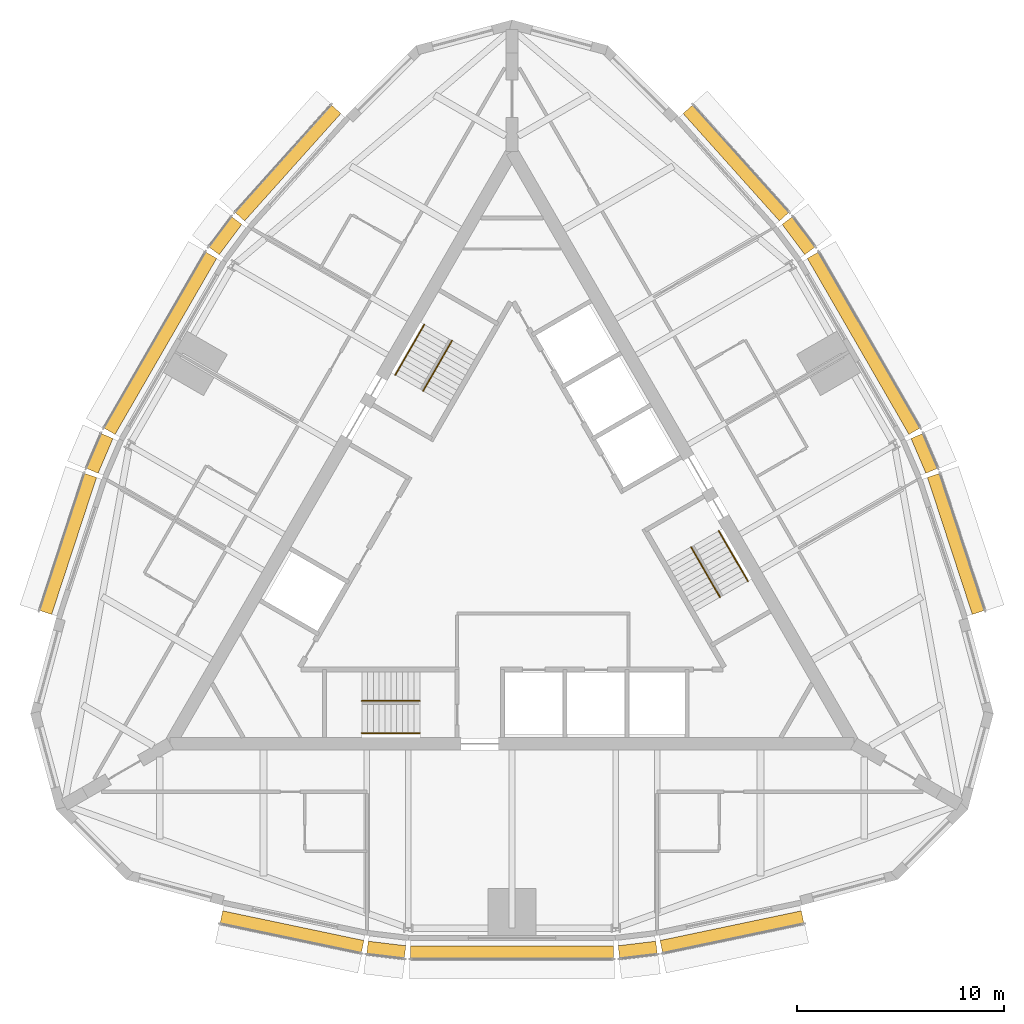
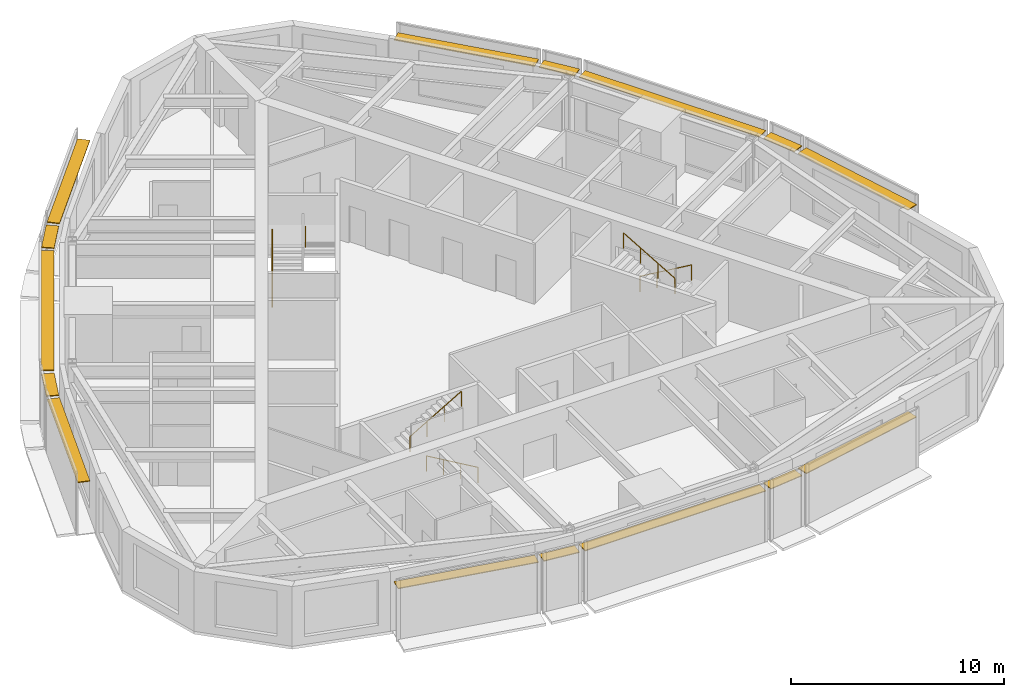
# One storey, part 12 of 12: 15 shading devices, 6 railings.
"""IFC4 building model written with IfcOpenShell, lengths in metres."""

from ifc_helpers import new_model, si_unit, direction, frame, origin, origin_2d, place, context, subcontext, project, spatial, rectangle, circle, extrude, material, type_object, element, save


model = new_model("IFC4")

# Units and contexts
model_context = context("Model", 3, precision=1e-05, world=origin(), true_north=direction((0.0, 1.0)))
body_context = subcontext(model_context, "Body", "Model", "MODEL_VIEW")
ifc_project = project(units=[si_unit("LENGTHUNIT", "METRE"), si_unit("AREAUNIT", "SQUARE_METRE"), si_unit("VOLUMEUNIT", "CUBIC_METRE"), si_unit("PLANEANGLEUNIT", "RADIAN"), si_unit("MASSUNIT", "GRAM", prefix="KILO")], contexts=[model_context])

# Site, building, storey
site_placement = place(None, origin())
site = spatial("IfcSite", under=ifc_project, at=site_placement, CompositionType="ELEMENT")
building_placement = place(site_placement, origin())
building = spatial("IfcBuilding", under=site, at=building_placement, Name="Trikona Tower", CompositionType="ELEMENT")
storey_placement = place(building_placement, frame((0.0, 0.0, 250.10009765625)))
storey = spatial("IfcBuildingStorey", under=building, at=storey_placement, Name="L66", CompositionType="ELEMENT", Elevation=250.10009765625)

# Shading devices
ifc_material_1 = material(Name="Aluminium louvre blade, pale anodised", Category="aluminium")
shading_device_type = type_object("IfcShadingDeviceType", Name="Cavity louvre 600", PredefinedType="USERDEFINED", material=ifc_material_1)
shading_device_1_placement = place(storey_placement, frame((-10.6162109375, -18.6083984375, 2.97509765625), z_axis=(0.0, 0.0, 1.0), x_axis=(0.97865342171, -0.205517590916, 0.0)))
element("IfcShadingDevice", 1, at=shading_device_1_placement, inside=storey, type_object=shading_device_type, Name="Cavity louvre L66-00", ObjectType="LOUVRE", PredefinedType="USERDEFINED", context=body_context, shape_type="SweptSolid", body=[
    extrude(rectangle(XDim=6.962646484375, YDim=0.60009765625, at=origin_2d()), origin(), (0.0, 0.0, 1.0), 0.050048828125),
])
shading_device_2_placement = place(storey_placement, frame((-6.0673828125, -19.471435546875, 2.97509765625), z_axis=(0.0, 0.0, 1.0), x_axis=(0.992876783199, -0.11914568135, 0.0)))
element("IfcShadingDevice", 2, at=shading_device_2_placement, inside=storey, type_object=shading_device_type, Name="Cavity louvre L66-01", ObjectType="LOUVRE", PredefinedType="USERDEFINED", context=body_context, shape_type="SweptSolid", body=[
    extrude(rectangle(XDim=1.82421875, YDim=0.60009765625, at=origin_2d()), origin(), (0.0, 0.0, 1.0), 0.050048828125),
])
shading_device_3_placement = place(storey_placement, frame((0.0, -19.595458984375, 2.97509765625), z_axis=(0.0, 0.0, 1.0), x_axis=(1.0, 0.0, 0.0)))
element("IfcShadingDevice", 3, at=shading_device_3_placement, inside=storey, type_object=shading_device_type, Name="Cavity louvre L66-02", ObjectType="LOUVRE", PredefinedType="USERDEFINED", context=body_context, shape_type="SweptSolid", body=[
    extrude(rectangle(XDim=9.81005859375, YDim=0.60009765625, at=origin_2d()), origin(), (0.0, 0.0, 1.0), 0.050048828125),
])
shading_device_4_placement = place(storey_placement, frame((6.0673828125, -19.471435546875, 2.97509765625), z_axis=(0.0, 0.0, 1.0), x_axis=(0.992876783199, 0.11914568135, 0.0)))
element("IfcShadingDevice", 4, at=shading_device_4_placement, inside=storey, type_object=shading_device_type, Name="Cavity louvre L66-03", ObjectType="LOUVRE", PredefinedType="USERDEFINED", context=body_context, shape_type="SweptSolid", body=[
    extrude(rectangle(XDim=1.82421875, YDim=0.60009765625, at=origin_2d()), origin(), (0.0, 0.0, 1.0), 0.050048828125),
])
for number, where, z_axis, x_axis, name in (
    (5, (10.6162109375, -18.6083984375, 2.97509765625), (0.0, 0.0, 1.0), (0.97865342171, 0.205517590916, 0.0), "Cavity louvre L66-04"),
    (6, (21.423583984375, 0.1103515625, 2.97509765625), (0.0, 0.0, 1.0), (-0.311336621861, 0.950299693722, 0.0), "Cavity louvre L66-09"),
):
    element("IfcShadingDevice", number, at=place(storey_placement, frame(where, z_axis=z_axis, x_axis=x_axis)), inside=storey, type_object=shading_device_type, Name=name, ObjectType="LOUVRE", PredefinedType="USERDEFINED", context=body_context, shape_type="SweptSolid", body=[
        extrude(rectangle(XDim=6.962646484375, YDim=0.60009765625, at=origin_2d()), origin(), (0.0, 0.0, 1.0), 0.050048828125),
    ])
shading_device_5_placement = place(storey_placement, frame((19.896484375, 4.481201171875, 2.97509765625), z_axis=(0.0, 0.0, 1.0), x_axis=(-0.39328408933, 0.919417002823, 0.0)))
element("IfcShadingDevice", 7, at=shading_device_5_placement, inside=storey, type_object=shading_device_type, Name="Cavity louvre L66-10", ObjectType="LOUVRE", PredefinedType="USERDEFINED", context=body_context, shape_type="SweptSolid", body=[
    extrude(rectangle(XDim=1.82421875, YDim=0.60009765625, at=origin_2d()), origin(), (0.0, 0.0, 1.0), 0.050048828125),
])
shading_device_6_placement = place(storey_placement, frame((16.97021484375, 9.797607421875, 2.97509765625), z_axis=(0.0, 0.0, 1.0), x_axis=(-0.4999984885, 0.866026276448, 0.0)))
element("IfcShadingDevice", 8, at=shading_device_6_placement, inside=storey, type_object=shading_device_type, Name="Cavity louvre L66-11", ObjectType="LOUVRE", PredefinedType="USERDEFINED", context=body_context, shape_type="SweptSolid", body=[
    extrude(rectangle(XDim=9.81005859375, YDim=0.60009765625, at=origin_2d()), origin(), (0.0, 0.0, 1.0), 0.050048828125),
])
shading_device_7_placement = place(storey_placement, frame((13.8291015625, 14.990234375, 2.97509765625), z_axis=(0.0, 0.0, 1.0), x_axis=(-0.599618784879, 0.800285769472, 0.0)))
element("IfcShadingDevice", 9, at=shading_device_7_placement, inside=storey, type_object=shading_device_type, Name="Cavity louvre L66-12", ObjectType="LOUVRE", PredefinedType="USERDEFINED", context=body_context, shape_type="SweptSolid", body=[
    extrude(rectangle(XDim=1.82421875, YDim=0.60009765625, at=origin_2d()), origin(), (0.0, 0.0, 1.0), 0.050048828125),
])
for number, where, z_axis, x_axis, name in (
    (10, (10.807373046875, 18.498046875, 2.97509765625), (0.0, 0.0, 1.0), (-0.667311465398, 0.744778764566, 0.0), "Cavity louvre L66-13"),
    (11, (-10.807373046875, 18.498046875, 2.97509765625), (0.0, 0.0, 1.0), (-0.667311465398, -0.744778764566, 0.0), "Cavity louvre L66-18"),
):
    element("IfcShadingDevice", number, at=place(storey_placement, frame(where, z_axis=z_axis, x_axis=x_axis)), inside=storey, type_object=shading_device_type, Name=name, ObjectType="LOUVRE", PredefinedType="USERDEFINED", context=body_context, shape_type="SweptSolid", body=[
        extrude(rectangle(XDim=6.962646484375, YDim=0.60009765625, at=origin_2d()), origin(), (0.0, 0.0, 1.0), 0.050048828125),
    ])
shading_device_8_placement = place(storey_placement, frame((-13.8291015625, 14.990234375, 2.97509765625), z_axis=(0.0, 0.0, 1.0), x_axis=(-0.599618784879, -0.800285769472, 0.0)))
element("IfcShadingDevice", 12, at=shading_device_8_placement, inside=storey, type_object=shading_device_type, Name="Cavity louvre L66-19", ObjectType="LOUVRE", PredefinedType="USERDEFINED", context=body_context, shape_type="SweptSolid", body=[
    extrude(rectangle(XDim=1.82421875, YDim=0.60009765625, at=origin_2d()), origin(), (0.0, 0.0, 1.0), 0.050048828125),
])
shading_device_9_placement = place(storey_placement, frame((-16.97021484375, 9.797607421875, 2.97509765625), z_axis=(0.0, 0.0, 1.0), x_axis=(-0.4999984885, -0.866026276448, 0.0)))
element("IfcShadingDevice", 13, at=shading_device_9_placement, inside=storey, type_object=shading_device_type, Name="Cavity louvre L66-20", ObjectType="LOUVRE", PredefinedType="USERDEFINED", context=body_context, shape_type="SweptSolid", body=[
    extrude(rectangle(XDim=9.81005859375, YDim=0.60009765625, at=origin_2d()), origin(), (0.0, 0.0, 1.0), 0.050048828125),
])
shading_device_10_placement = place(storey_placement, frame((-19.896484375, 4.481201171875, 2.97509765625), z_axis=(0.0, 0.0, 1.0), x_axis=(-0.39328408933, -0.919417002823, 0.0)))
element("IfcShadingDevice", 14, at=shading_device_10_placement, inside=storey, type_object=shading_device_type, Name="Cavity louvre L66-21", ObjectType="LOUVRE", PredefinedType="USERDEFINED", context=body_context, shape_type="SweptSolid", body=[
    extrude(rectangle(XDim=1.82421875, YDim=0.60009765625, at=origin_2d()), origin(), (0.0, 0.0, 1.0), 0.050048828125),
])
shading_device_11_placement = place(storey_placement, frame((-21.423583984375, 0.1103515625, 2.97509765625), z_axis=(0.0, 0.0, 1.0), x_axis=(-0.311336621861, -0.950299693722, 0.0)))
element("IfcShadingDevice", 15, at=shading_device_11_placement, inside=storey, type_object=shading_device_type, Name="Cavity louvre L66-22", ObjectType="LOUVRE", PredefinedType="USERDEFINED", context=body_context, shape_type="SweptSolid", body=[
    extrude(rectangle(XDim=6.962646484375, YDim=0.60009765625, at=origin_2d()), origin(), (0.0, 0.0, 1.0), 0.050048828125),
])

# Railings
ifc_material_2 = material(Name="Stainless steel handrail", Category="steel")
railing_type = type_object("IfcRailingType", Name="Stair handrail", PredefinedType="HANDRAIL", material=ifc_material_2)
railing_1_placement = place(storey_placement, frame((-4.449951171875, -9.016357421875, 0.16357421875)))
element("IfcRailing", 16, at=railing_1_placement, inside=storey, type_object=railing_type, Name="Stair handrail A L66 1", PredefinedType="HANDRAIL", context=body_context, shape_type="SweptSolid", body=[
    extrude(circle(Radius=0.02392578125, at=origin_2d()), frame((0.0, 0.0, 0.8759765625), z_axis=(-0.863393664356, 0.0, 0.504530851732), x_axis=(0.0, -1.0, 0.0)), (0.0, 0.0, 1.0), 3.2431640625),
    extrude(circle(Radius=0.02099609375, at=origin_2d()), origin(), (0.0, 0.0, 1.0), 0.851806640625),
    extrude(circle(Radius=0.02099609375, at=origin_2d()), frame((-0.933349609375, 0.0, 0.54541015625)), (0.0, 0.0, 1.0), 0.851806640625),
    extrude(circle(Radius=0.02099609375, at=origin_2d()), frame((-1.86669921875, 0.0, 1.0908203125)), (0.0, 0.0, 1.0), 0.851806640625),
    extrude(circle(Radius=0.02099609375, at=origin_2d()), frame((-2.800048828125, 0.0, 1.63623046875)), (0.0, 0.0, 1.0), 0.851806640625),
])
railing_2_placement = place(storey_placement, frame((-7.25, -7.46630859375, 1.963623046875)))
element("IfcRailing", 17, at=railing_2_placement, inside=storey, type_object=railing_type, Name="Stair handrail A L66 2", PredefinedType="HANDRAIL", context=body_context, shape_type="SweptSolid", body=[
    extrude(circle(Radius=0.02392578125, at=origin_2d()), frame((0.0, 0.0, 0.8759765625), z_axis=(0.863393664356, 0.0, 0.504530851732), x_axis=(0.0, 1.0, 0.0)), (0.0, 0.0, 1.0), 3.2431640625),
    extrude(circle(Radius=0.02099609375, at=origin_2d()), origin(), (0.0, 0.0, 1.0), 0.851806640625),
    extrude(circle(Radius=0.02099609375, at=origin_2d()), frame((0.933349609375, 0.0, 0.54541015625)), (0.0, 0.0, 1.0), 0.851806640625),
    extrude(circle(Radius=0.02099609375, at=origin_2d()), frame((1.86669921875, 0.0, 1.0908203125)), (0.0, 0.0, 1.0), 0.851806640625),
    extrude(circle(Radius=0.02099609375, at=origin_2d()), frame((2.800048828125, 0.0, 1.63623046875)), (0.0, 0.0, 1.0), 0.851806640625),
])
railing_3_placement = place(storey_placement, frame((9.9833984375, 0.740966796875, 0.16357421875)))
element("IfcRailing", 18, at=railing_3_placement, inside=storey, type_object=railing_type, Name="Stair handrail B L66 1", PredefinedType="HANDRAIL", context=body_context, shape_type="SweptSolid", body=[
    extrude(circle(Radius=0.02392578125, at=origin_2d()), frame((0.0, 0.0, 0.8759765625), z_axis=(0.43165272891, -0.747751404999, 0.504523297725), x_axis=(0.866056369097, 0.49994636267, 0.0)), (0.0, 0.0, 1.0), 3.2431640625),
    extrude(circle(Radius=0.02099609375, at=origin_2d()), origin(), (0.0, 0.0, 1.0), 0.851806640625),
    extrude(circle(Radius=0.02099609375, at=origin_2d()), frame((0.466552734375, -0.808349609375, 0.54541015625)), (0.0, 0.0, 1.0), 0.851806640625),
    extrude(circle(Radius=0.02099609375, at=origin_2d()), frame((0.933349609375, -1.61669921875, 1.0908203125)), (0.0, 0.0, 1.0), 0.851806640625),
    extrude(circle(Radius=0.02099609375, at=origin_2d()), frame((1.39990234375, -2.425048828125, 1.63623046875)), (0.0, 0.0, 1.0), 0.851806640625),
])
railing_4_placement = place(storey_placement, frame((10.041015625, -2.458984375, 1.963623046875)))
element("IfcRailing", 19, at=railing_4_placement, inside=storey, type_object=railing_type, Name="Stair handrail B L66 2", PredefinedType="HANDRAIL", context=body_context, shape_type="SweptSolid", body=[
    extrude(circle(Radius=0.02392578125, at=origin_2d()), frame((0.0, 0.0, 0.8759765625), z_axis=(-0.43165272891, 0.747751404999, 0.504523297725), x_axis=(-0.866056369097, -0.49994636267, 0.0)), (0.0, 0.0, 1.0), 3.2431640625),
    extrude(circle(Radius=0.02099609375, at=origin_2d()), origin(), (0.0, 0.0, 1.0), 0.851806640625),
    extrude(circle(Radius=0.02099609375, at=origin_2d()), frame((-0.466552734375, 0.808349609375, 0.54541015625)), (0.0, 0.0, 1.0), 0.851806640625),
    extrude(circle(Radius=0.02099609375, at=origin_2d()), frame((-0.933349609375, 1.61669921875, 1.0908203125)), (0.0, 0.0, 1.0), 0.851806640625),
    extrude(circle(Radius=0.02099609375, at=origin_2d()), frame((-1.39990234375, 2.425048828125, 1.63623046875)), (0.0, 0.0, 1.0), 0.851806640625),
])
railing_5_placement = place(storey_placement, frame((-5.63330078125, 8.275390625, 0.16357421875)))
element("IfcRailing", 20, at=railing_5_placement, inside=storey, type_object=railing_type, Name="Stair handrail C L66 1", PredefinedType="HANDRAIL", context=body_context, shape_type="SweptSolid", body=[
    extrude(circle(Radius=0.02392578125, at=origin_2d()), frame((0.0, 0.0, 0.8759765625), z_axis=(0.431677027627, 0.74771821388, 0.504551698492), x_axis=(-0.866034573852, 0.49998411664, 0.0)), (0.0, 0.0, 1.0), 3.242919921875),
    extrude(circle(Radius=0.02099609375, at=origin_2d()), origin(), (0.0, 0.0, 1.0), 0.851806640625),
    extrude(circle(Radius=0.02099609375, at=origin_2d()), frame((0.466552734375, 0.808349609375, 0.54541015625)), (0.0, 0.0, 1.0), 0.851806640625),
    extrude(circle(Radius=0.02099609375, at=origin_2d()), frame((0.933349609375, 1.616455078125, 1.0908203125)), (0.0, 0.0, 1.0), 0.851806640625),
    extrude(circle(Radius=0.02099609375, at=origin_2d()), frame((1.39990234375, 2.4248046875, 1.63623046875)), (0.0, 0.0, 1.0), 0.851806640625),
])
railing_6_placement = place(storey_placement, frame((-2.89111328125, 9.92529296875, 1.963623046875)))
element("IfcRailing", 21, at=railing_6_placement, inside=storey, type_object=railing_type, Name="Stair handrail C L66 2", PredefinedType="HANDRAIL", context=body_context, shape_type="SweptSolid", body=[
    extrude(circle(Radius=0.02392578125, at=origin_2d()), frame((0.0, 0.0, 0.8759765625), z_axis=(-0.43165272891, -0.747751404999, 0.504523297725), x_axis=(0.866056369097, -0.49994636267, 0.0)), (0.0, 0.0, 1.0), 3.2431640625),
    extrude(circle(Radius=0.02099609375, at=origin_2d()), origin(), (0.0, 0.0, 1.0), 0.851806640625),
    extrude(circle(Radius=0.02099609375, at=origin_2d()), frame((-0.466552734375, -0.808349609375, 0.54541015625)), (0.0, 0.0, 1.0), 0.851806640625),
    extrude(circle(Radius=0.02099609375, at=origin_2d()), frame((-0.933349609375, -1.61669921875, 1.0908203125)), (0.0, 0.0, 1.0), 0.851806640625),
    extrude(circle(Radius=0.02099609375, at=origin_2d()), frame((-1.39990234375, -2.425048828125, 1.63623046875)), (0.0, 0.0, 1.0), 0.851806640625),
])

save(model, "model.ifc")
